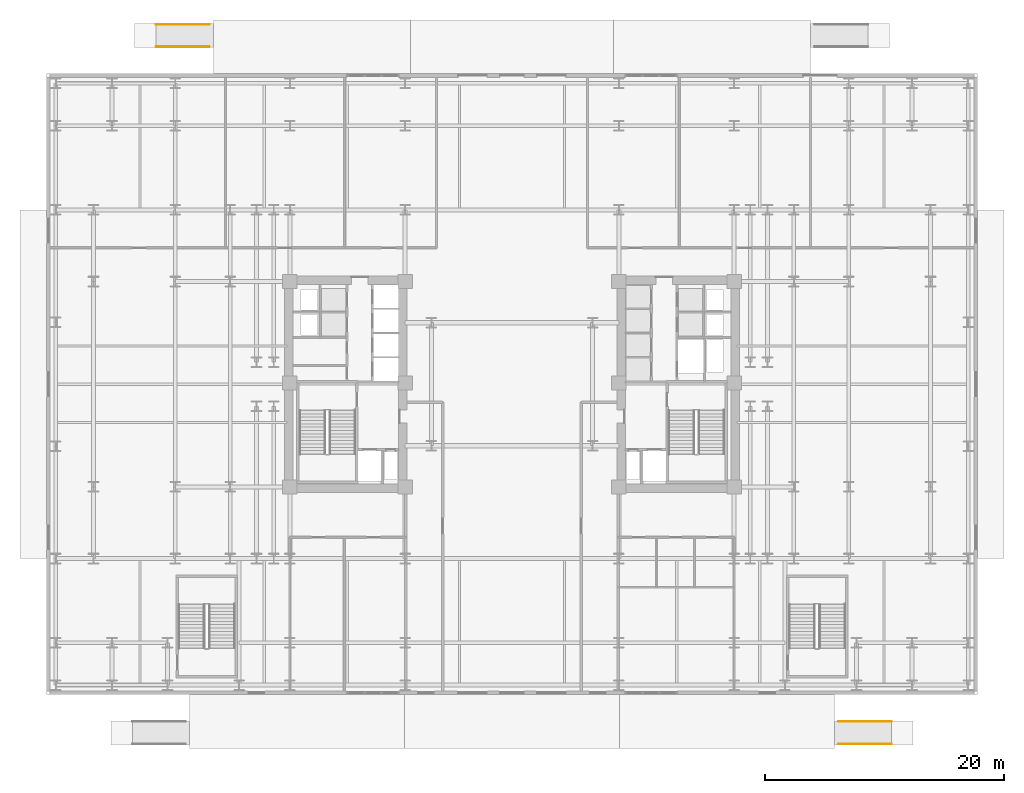
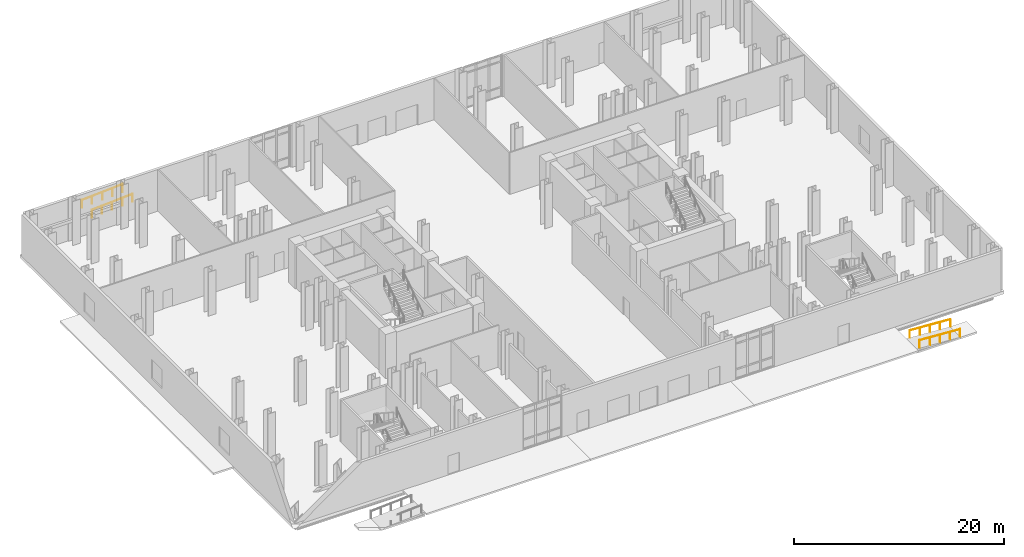
# One storey, part 18 of 21: 4 railings.
"""IFC4 building model written with IfcOpenShell, lengths in metres."""

from ifc_helpers import new_model, si_unit, direction, frame, origin, origin_2d, place, context, subcontext, project, spatial, circle, extrude, material, type_object, element, save


model = new_model("IFC4")

# Units and contexts
model_context = context("Model", 3, precision=1e-05, world=origin(), true_north=direction((0.0, 1.0)))
body_context = subcontext(model_context, "Body", "Model", "MODEL_VIEW")
ifc_project = project(units=[si_unit("LENGTHUNIT", "METRE"), si_unit("AREAUNIT", "SQUARE_METRE"), si_unit("VOLUMEUNIT", "CUBIC_METRE"), si_unit("PLANEANGLEUNIT", "RADIAN"), si_unit("MASSUNIT", "GRAM", prefix="KILO")], contexts=[model_context])

# Site, building, storey
site_placement = place(None, origin())
site = spatial("IfcSite", under=ifc_project, at=site_placement, CompositionType="ELEMENT")
building_placement = place(site_placement, origin())
building = spatial("IfcBuilding", under=site, at=building_placement, Name="Velakula Bourse", CompositionType="ELEMENT")
storey_placement = place(building_placement, origin())
storey = spatial("IfcBuildingStorey", under=building, at=storey_placement, Name="L00", CompositionType="ELEMENT", Elevation=0.0)

# Railings
ifc_material = material(Name="Brushed grade 316 stainless steel", Category="steel")
railing_type = type_object("IfcRailingType", Name="RLG-STAIR-HAND-920", PredefinedType="HANDRAIL", material=ifc_material)
for number, where, name in (
    (1, (31.800048828125, -30.139892578125, -0.300048828125), "South-East Station Flood-Threshold Ramp Handrail 1"),
    (2, (31.800048828125, -28.260009765625, -0.300048828125), "South-East Station Flood-Threshold Ramp Handrail 2"),
):
    element("IfcRailing", number, at=place(storey_placement, frame(where)), inside=storey, type_object=railing_type, Name=name, PredefinedType="HANDRAIL", context=body_context, shape_type="SweptSolid", body=[
        extrude(circle(Radius=0.02392578125, at=origin_2d()), frame((0.0, 0.0, 0.89599609375), z_axis=(-0.998053217616, 0.0, 0.06236805919), x_axis=(0.0, -1.0, 0.0)), (0.0, 0.0, 1.0), 4.458740234375),
        extrude(circle(Radius=0.02099609375, at=origin_2d()), origin(), (0.0, 0.0, 1.0), 0.871826171875),
        extrude(circle(Radius=0.02099609375, at=origin_2d()), frame((-1.112548828125, 0.0, 0.069580078125)), (0.0, 0.0, 1.0), 0.871826171875),
        extrude(circle(Radius=0.02099609375, at=origin_2d()), frame((-2.22509765625, 0.0, 0.13916015625)), (0.0, 0.0, 1.0), 0.871826171875),
        extrude(circle(Radius=0.02099609375, at=origin_2d()), frame((-3.33740234375, 0.0, 0.20849609375)), (0.0, 0.0, 1.0), 0.871826171875),
        extrude(circle(Radius=0.02099609375, at=origin_2d()), frame((-4.449951171875, 0.0, 0.278076171875)), (0.0, 0.0, 1.0), 0.871826171875),
    ])
for number, where, name in (
    (3, (-29.800048828125, 28.260009765625, -0.300048828125), "North-West Station Flood-Threshold Ramp Handrail 1"),
    (4, (-29.800048828125, 30.139892578125, -0.300048828125), "North-West Station Flood-Threshold Ramp Handrail 2"),
):
    element("IfcRailing", number, at=place(storey_placement, frame(where)), inside=storey, type_object=railing_type, Name=name, PredefinedType="HANDRAIL", context=body_context, shape_type="SweptSolid", body=[
        extrude(circle(Radius=0.02392578125, at=origin_2d()), frame((0.0, 0.0, 0.89599609375), z_axis=(0.998053217616, 0.0, 0.06236805919), x_axis=(0.0, 1.0, 0.0)), (0.0, 0.0, 1.0), 4.458740234375),
        extrude(circle(Radius=0.02099609375, at=origin_2d()), origin(), (0.0, 0.0, 1.0), 0.871826171875),
        extrude(circle(Radius=0.02099609375, at=origin_2d()), frame((1.112548828125, 0.0, 0.069580078125)), (0.0, 0.0, 1.0), 0.871826171875),
        extrude(circle(Radius=0.02099609375, at=origin_2d()), frame((2.22509765625, 0.0, 0.13916015625)), (0.0, 0.0, 1.0), 0.871826171875),
        extrude(circle(Radius=0.02099609375, at=origin_2d()), frame((3.33740234375, 0.0, 0.20849609375)), (0.0, 0.0, 1.0), 0.871826171875),
        extrude(circle(Radius=0.02099609375, at=origin_2d()), frame((4.449951171875, 0.0, 0.278076171875)), (0.0, 0.0, 1.0), 0.871826171875),
    ])

save(model, "model.ifc")
